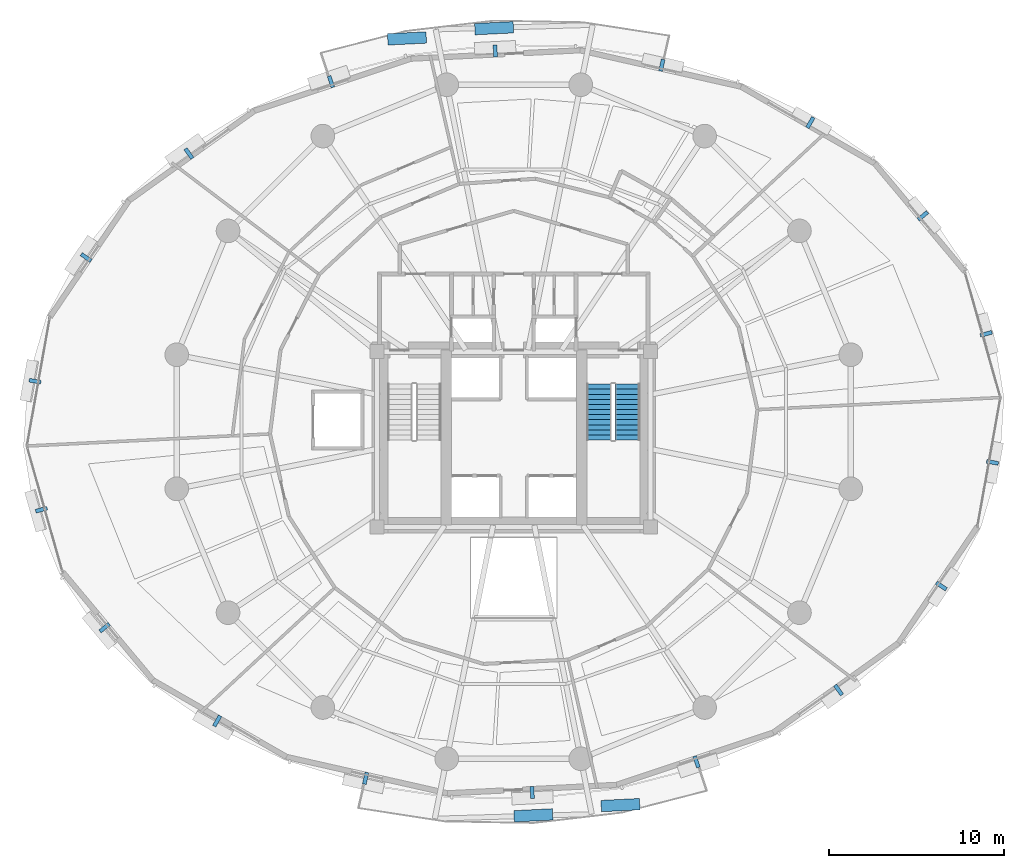
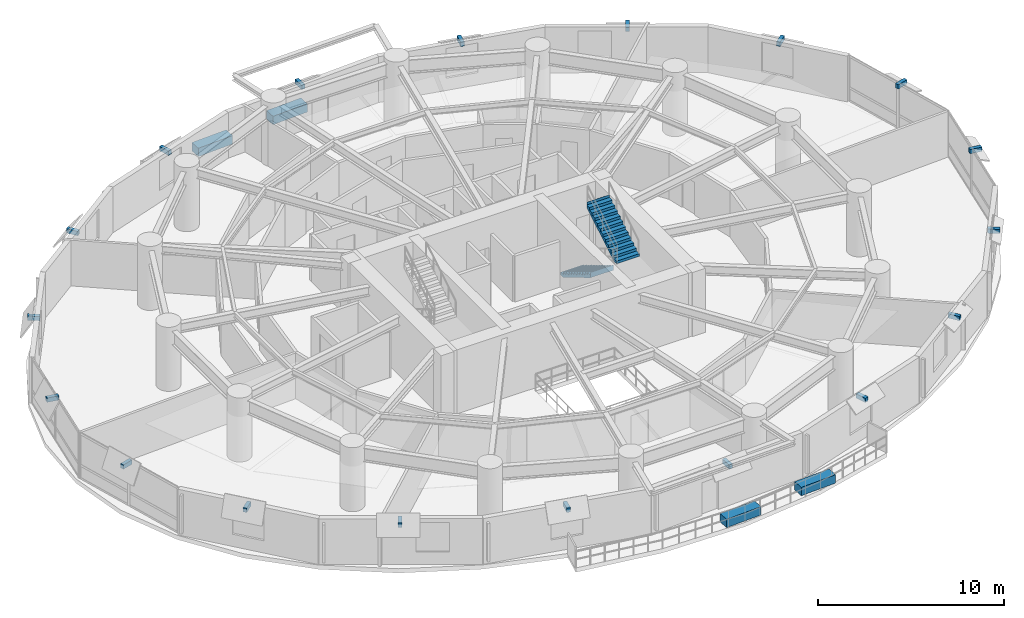
# One storey, part 13 of 16: 22 discrete accessories, 2 stair flights, 1 element without a shape of its own.
"""IFC4 building model written with IfcOpenShell, lengths in metres."""

import ifcopenshell
import ifcopenshell.guid

model = None  # the IFC model being written
_history = None  # IfcOwnerHistory: only IFC2X3 demands one
_inside = {}  # id of a spatial element -> (the spatial element, [elements in it])
_under = {}  # id of a project, library or spatial element -> (it, [spatial elements below it])
_declared = {}  # id of a project -> (the project, [libraries it declares])
_typed = {}  # id of a type object -> (the type object, [elements of that type])
_made_of = {}  # id of a material, layer set ... -> (it, [elements and type objects made of it])


def new_model(schema):
    """Start an empty IFC model of exactly this schema.

    Asked for "IFC4X3", IfcOpenShell would pick the latest addendum, in which some entities
    have other attributes; the version numbers below select the first issue.
    IFC2X3 requires an IfcOwnerHistory on every rooted entity: one is made here for all.
    """
    global model, _history
    if schema == "IFC4X3":
        model = ifcopenshell.file(schema_version=(4, 3, 0, 0))
    else:
        model = ifcopenshell.file(schema=schema)
    _inside.clear()
    _under.clear()
    _declared.clear()
    _typed.clear()
    _made_of.clear()
    _history = None
    if model.schema == "IFC2X3":
        org = make("IfcOrganization", Name="unknown")
        user = make(
            "IfcPersonAndOrganization",
            ThePerson=make("IfcPerson", FamilyName="unknown"),
            TheOrganization=org,
        )
        app = make(
            "IfcApplication",
            ApplicationDeveloper=org,
            Version="unknown",
            ApplicationFullName="unknown",
            ApplicationIdentifier="unknown",
        )
        _history = make(
            "IfcOwnerHistory",
            OwningUser=user,
            OwningApplication=app,
            ChangeAction="ADDED",
            CreationDate=0,
        )
    return model


def make(cls, **values):
    """One entity of the class cls with the attributes given. An attribute that is None is left unset."""
    return model.create_entity(
        cls, **{name: value for name, value in values.items() if value is not None}
    )


def rooted(cls, **values):
    """An entity with a GlobalId (a new one), such as an element, a storey or a relation."""
    return make(cls, GlobalId=ifcopenshell.guid.new(), OwnerHistory=_history, **values)


def si_unit(unit_type, name, prefix=None):
    """IfcSIUnit, for example si_unit("LENGTHUNIT", "METRE", prefix="MILLI")."""
    return make("IfcSIUnit", UnitType=unit_type, Prefix=prefix, Name=name)


def assignment(units):
    """IfcUnitAssignment: the units of a project."""
    return None if units is None else make("IfcUnitAssignment", Units=units)


def point(xyz):
    """IfcCartesianPoint."""
    return None if xyz is None else make("IfcCartesianPoint", Coordinates=xyz)


def direction(xyz):
    """IfcDirection."""
    return None if xyz is None else make("IfcDirection", DirectionRatios=xyz)


def frame(location, z_axis=None, x_axis=None):
    """IfcAxis2Placement3D, a coordinate frame: its origin and axes. An axis left out is left unset."""
    return make(
        "IfcAxis2Placement3D",
        Location=point(location),
        Axis=direction(z_axis),
        RefDirection=direction(x_axis),
    )


def frame_2d(location, x_axis=None):
    """IfcAxis2Placement2D, a coordinate frame in the plane: its origin and x axis."""
    return make(
        "IfcAxis2Placement2D", Location=point(location), RefDirection=direction(x_axis)
    )


def origin():
    """The frame at (0, 0, 0) with its axes left unset."""
    return frame((0.0, 0.0, 0.0))


def origin_2d():
    """The frame at (0, 0) in the plane with its x axis left unset."""
    return frame_2d((0.0, 0.0))


def place(relative_to, where):
    """IfcLocalPlacement: puts the frame where relative to a parent placement (None: the world)."""
    return make(
        "IfcLocalPlacement", PlacementRelTo=relative_to, RelativePlacement=where
    )


def context(
    kind, dimensions, precision=None, world=None, true_north=None, identifier=None
):
    """IfcGeometricRepresentationContext, for example the 3D "Model" context."""
    return make(
        "IfcGeometricRepresentationContext",
        ContextIdentifier=identifier,
        ContextType=kind,
        CoordinateSpaceDimension=dimensions,
        Precision=precision,
        WorldCoordinateSystem=world,
        TrueNorth=true_north,
    )


def subcontext(parent, identifier, kind, view, scale=None):
    """IfcGeometricRepresentationSubContext, for example "Body" below "Model"."""
    return make(
        "IfcGeometricRepresentationSubContext",
        ContextIdentifier=identifier,
        ContextType=kind,
        ParentContext=parent,
        TargetScale=scale,
        TargetView=view,
    )


def project(units=None, contexts=None):
    """IfcProject with its units and contexts."""
    return rooted(
        "IfcProject",
        Name="project",
        RepresentationContexts=contexts,
        UnitsInContext=assignment(units),
    )


def spatial(cls, under=None, at=None, **own):
    """A site, building, storey or space (cls), placed at a placement, below another one or the project."""
    s = rooted(cls, ObjectPlacement=at, **own)
    if under is not None:
        _under.setdefault(under.id(), (under, []))[1].append(s)
    return s


def polyline(points):
    """IfcPolyline through the points."""
    return make("IfcPolyline", Points=[point(p) for p in points])


def profile(cls, at=None, kind="AREA", **sizes):
    """A parametric profile (cls). Its sizes go by their IFC names, for example OverallWidth=200.0."""
    return make(cls, ProfileType=kind, Position=at, **sizes)


def rectangle(**sizes):
    """IfcRectangleProfileDef."""
    return profile("IfcRectangleProfileDef", **sizes)


def outline(outer, holes=None, kind="AREA"):
    """IfcArbitraryClosedProfileDef: a profile drawn as a closed curve; with holes, ...WithVoids."""
    if holes is None:
        return make("IfcArbitraryClosedProfileDef", ProfileType=kind, OuterCurve=outer)
    return make(
        "IfcArbitraryProfileDefWithVoids",
        ProfileType=kind,
        OuterCurve=outer,
        InnerCurves=holes,
    )


def extrude(swept, where, along, depth):
    """IfcExtrudedAreaSolid: the profile swept, set in the frame where, extruded along a direction by depth."""
    return make(
        "IfcExtrudedAreaSolid",
        SweptArea=swept,
        Position=where,
        ExtrudedDirection=direction(along),
        Depth=depth,
    )


def shape(context_of_items, identifier, shape_type, items):
    """IfcShapeRepresentation: the items that make up one representation, for example the "Body"."""
    return make(
        "IfcShapeRepresentation",
        ContextOfItems=context_of_items,
        RepresentationIdentifier=identifier,
        RepresentationType=shape_type,
        Items=items,
    )


def material(Name=None, Category=None):
    """IfcMaterial."""
    return make("IfcMaterial", Name=Name, Category=Category)


def made_of(thing, what):
    """Note that an element or type object is made of a material, layer set ...; save() writes the relation."""
    if what is not None:
        _made_of.setdefault(what.id(), (what, []))[1].append(thing)
    return thing


def type_object(cls, material=None, **own):
    """A type object (cls), such as IfcWallType, which elements share."""
    return made_of(rooted(cls, **own), material)


def element(
    cls,
    number,
    at=None,
    inside=None,
    cuts=None,
    type_object=None,
    material=None,
    context=None,
    identifier="Body",
    shape_type=None,
    held_by="IfcProductDefinitionShape",
    body=None,
    shapes=None,
    **own,
):
    """One element of the class cls, such as IfcWall. Its Tag is "e" and its number.

    at: its placement. inside: the storey or other place that contains it. cuts: it is an
    opening in that element (IfcRelVoidsElement). A single representation is given by context,
    identifier, shape_type and body (its items); several are given by shapes. held_by: the class
    of the entity that holds the representations. save() writes the other relations.
    """
    e = rooted(cls, Tag="e%d" % number, ObjectPlacement=at, **own)
    if body is not None:
        shapes = [shape(context, identifier, shape_type, body)]
    if shapes is not None:
        e.Representation = make(held_by, Representations=shapes)
    if inside is not None:
        _inside.setdefault(inside.id(), (inside, []))[1].append(e)
    if cuts is not None:
        rooted(
            "IfcRelVoidsElement", RelatingBuildingElement=cuts, RelatedOpeningElement=e
        )
    if type_object is not None:
        _typed.setdefault(type_object.id(), (type_object, []))[1].append(e)
    return made_of(e, material)


def aggregate(whole, parts):
    """IfcRelAggregates: a whole, such as a stair, and the parts it consists of."""
    return rooted("IfcRelAggregates", RelatingObject=whole, RelatedObjects=parts)


def save(model, path):
    """Write the relations noted so far, then the file.

    IfcRelAggregates (storeys below a building ...), IfcRelContainedInSpatialStructure (elements
    in a storey), IfcRelDefinesByType, IfcRelAssociatesMaterial and IfcRelDeclares: one each for
    every whole, place, type object, material and project.
    """
    for whole, parts in _under.values():
        aggregate(whole, parts)
    for where, things in _inside.values():
        rooted(
            "IfcRelContainedInSpatialStructure",
            RelatedElements=things,
            RelatingStructure=where,
        )
    for kind, things in _typed.values():
        rooted("IfcRelDefinesByType", RelatedObjects=things, RelatingType=kind)
    for what, things in _made_of.values():
        rooted("IfcRelAssociatesMaterial", RelatedObjects=things, RelatingMaterial=what)
    for by, libraries in _declared.values():
        rooted("IfcRelDeclares", RelatingContext=by, RelatedDefinitions=libraries)
    model.write(path)


model = new_model("IFC4")

# Units and contexts
model_context = context("Model", 3, precision=1e-05, world=origin(), true_north=direction((0.0, 1.0)))
body_context = subcontext(model_context, "Body", "Model", "MODEL_VIEW")
ifc_project = project(units=[si_unit("LENGTHUNIT", "METRE"), si_unit("AREAUNIT", "SQUARE_METRE"), si_unit("VOLUMEUNIT", "CUBIC_METRE"), si_unit("PLANEANGLEUNIT", "RADIAN"), si_unit("MASSUNIT", "GRAM", prefix="KILO"), si_unit("THERMODYNAMICTEMPERATUREUNIT", "KELVIN"), si_unit("POWERUNIT", "WATT")], contexts=[model_context])

# Site, building, storey
site_placement = place(None, origin())
site = spatial("IfcSite", under=ifc_project, at=site_placement, CompositionType="ELEMENT")
building_placement = place(site_placement, origin())
building = spatial("IfcBuilding", under=site, at=building_placement, Name="Ocrelia Relay Tower", CompositionType="ELEMENT")
storey_placement = place(building_placement, frame((0.0, 0.0, 42.60009765625)))
storey = spatial("IfcBuildingStorey", under=building, at=storey_placement, Name="L09", CompositionType="ELEMENT", Elevation=42.60009765625)

# Stair, stair flights
ifc_material_1 = material(Name="Concrete C50/60", Category="concrete")
stair_type = type_object("IfcStairType", Name="ST-DL-1420-R175", PredefinedType="HALF_TURN_STAIR", material=ifc_material_1)
stair_placement = place(storey_placement, origin())
stair = element("IfcStair", 1, at=stair_placement, inside=storey, type_object=stair_type, Name="L09 East Core Exit Stair ST2", PredefinedType="HALF_TURN_STAIR")
stair_flight_type = type_object("IfcStairFlightType", Name="STF-DL-1420-R175", PredefinedType="STRAIGHT", material=ifc_material_1)
stair_flight_1_placement = place(storey_placement, frame((38.8701171875, 28.14990234375, 0.0), z_axis=(0.0, 0.0, 1.0), x_axis=(0.0, -1.0, 0.0)))
stair_flight_1 = element("IfcStairFlight", 2, at=stair_flight_1_placement, type_object=stair_flight_type, Name="ST2 flight 1", NumberOfRisers=12, NumberOfTreads=11, PredefinedType="STRAIGHT", RiserHeight=0.175, TreadLength=0.29, context=body_context, shape_type="SweptSolid", body=[
    extrude(outline(polyline([(-0.008056640625, 0.0), (-0.008056640625, 0.175048828125), (0.0, 0.175048828125), (0.2900390625, 0.175048828125), (0.2900390625, 0.35009765625), (0.580078125, 0.35009765625), (0.580078125, 0.52490234375), (0.8701171875, 0.52490234375), (0.8701171875, 0.699951171875), (1.159912109375, 0.699951171875), (1.159912109375, 0.875), (1.449951171875, 0.875), (1.449951171875, 1.050048828125), (1.739990234375, 1.050048828125), (1.739990234375, 1.22509765625), (2.030029296875, 1.22509765625), (2.030029296875, 1.39990234375), (2.320068359375, 1.39990234375), (2.320068359375, 1.574951171875), (2.610107421875, 1.574951171875), (2.610107421875, 1.75), (2.89990234375, 1.75), (2.89990234375, 1.925048828125), (3.18994140625, 1.925048828125), (3.18994140625, 2.10009765625), (3.197998046875, 2.10009765625), (3.197998046875, 1.75), (0.2900390625, 0.0), (-0.008056640625, 0.0)])), frame((0.0, 0.7099609375, 0.0), z_axis=(0.0, -1.0, 0.0), x_axis=(1.0, 0.0, 0.0)), (0.0, 0.0, 1.0), 1.419921875),
])
stair_flight_2_placement = place(storey_placement, frame((40.489990234375, 24.9599609375, 2.099853515625), z_axis=(0.0, 0.0, 1.0), x_axis=(0.0, 1.0, 0.0)))
stair_flight_2 = element("IfcStairFlight", 3, at=stair_flight_2_placement, type_object=stair_flight_type, Name="ST2 flight 2", NumberOfRisers=12, NumberOfTreads=11, PredefinedType="STRAIGHT", RiserHeight=0.175, TreadLength=0.29, context=body_context, shape_type="SweptSolid", body=[
    extrude(outline(polyline([(-0.008056640625, 0.0), (-0.008056640625, 0.175048828125), (0.0, 0.175048828125), (0.2900390625, 0.175048828125), (0.2900390625, 0.35009765625), (0.580078125, 0.35009765625), (0.580078125, 0.52490234375), (0.8701171875, 0.52490234375), (0.8701171875, 0.699951171875), (1.159912109375, 0.699951171875), (1.159912109375, 0.875), (1.449951171875, 0.875), (1.449951171875, 1.050048828125), (1.739990234375, 1.050048828125), (1.739990234375, 1.22509765625), (2.030029296875, 1.22509765625), (2.030029296875, 1.39990234375), (2.320068359375, 1.39990234375), (2.320068359375, 1.574951171875), (2.610107421875, 1.574951171875), (2.610107421875, 1.75), (2.89990234375, 1.75), (2.89990234375, 1.925048828125), (3.18994140625, 1.925048828125), (3.18994140625, 2.10009765625), (3.197998046875, 2.10009765625), (3.197998046875, 1.75), (0.2900390625, 0.0), (-0.008056640625, 0.0)])), frame((0.0, 0.7099609375, 0.0), z_axis=(0.0, -1.0, 0.0), x_axis=(1.0, 0.0, 0.0)), (0.0, 0.0, 1.0), 1.419921875),
])
aggregate(stair, [stair_flight_1, stair_flight_2])

# Discrete accessories
ifc_material_2 = material(Name="Precast concrete C40/50 planter with highland greenery", Category="concrete")
discrete_accessory_type_1 = type_object("IfcDiscreteAccessoryType", Name="ACC-BALC-PLANTER", PredefinedType="USERDEFINED", material=ifc_material_2)
for number, where, z_axis, x_axis, name in (
    (4, (32.88232421875, 48.44970703125, 0.0), (0.0, 0.0, 1.0), (0.998763392333, 0.049716055106, 0.0), "L09 Balcony Terracotta Planter with Greenery B1"),
    (5, (27.91162109375, 47.8662109375, 0.0), (0.0, 0.0, 1.0), (0.998763392333, 0.049716055106, 0.0), "L09 Balcony Terracotta Planter B1-2"),
    (6, (35.11767578125, 3.55029296875, 0.0), (0.0, 0.0, 1.0), (-0.998763392333, -0.049716055106, 0.0), "L09 Balcony Terracotta Planter with Greenery B2"),
    (7, (40.08837890625, 4.1337890625, 0.0), (0.0, 0.0, 1.0), (-0.998763392333, -0.049716055106, 0.0), "L09 Balcony Terracotta Planter B2-2"),
):
    element("IfcDiscreteAccessory", number, at=place(storey_placement, frame(where, z_axis=z_axis, x_axis=x_axis)), inside=storey, type_object=discrete_accessory_type_1, Name=name, ObjectType="PLANTER", PredefinedType="USERDEFINED", context=body_context, shape_type="SweptSolid", body=[
        extrude(rectangle(XDim=2.199951171875, YDim=0.64990234375, at=origin_2d()), origin(), (0.0, 0.0, 1.0), 0.550048828125),
    ])
ifc_material_3 = material(Name="Steel S355", Category="steel")
discrete_accessory_type_2 = type_object("IfcDiscreteAccessoryType", Name="ACC-VISOR-BRACKET", PredefinedType="BRACKET", material=ifc_material_3)
for number, where, z_axis, x_axis, name in (
    (8, (60.94384765625, 31.01513671875, 2.69970703125), (0.0, 0.0, 1.0), (-0.27245355901, 0.962168934326, 0.0), "L09 Visor Mounting Bracket 01"),
    (9, (57.337646484375, 37.743896484375, 2.69970703125), (0.0, 0.0, 1.0), (-0.640772789184, 0.767730572949, 0.0), "L09 Visor Mounting Bracket 02"),
    (10, (50.918212890625, 43.06591796875, 2.69970703125), (0.0, 0.0, 1.0), (-0.867004455903, 0.498300384752, 0.0), "L09 Visor Mounting Bracket 03"),
    (11, (42.44873046875, 46.33740234375, 2.69970703125), (0.0, 0.0, 1.0), (-0.975411485946, 0.220391544947, 0.0), "L09 Visor Mounting Bracket 04"),
    (12, (32.947021484375, 47.150146484375, 2.69970703125), (0.0, 0.0, 1.0), (-0.998762880658, -0.049726333258, 0.0), "L09 Visor Mounting Bracket 05"),
    (13, (23.572998046875, 45.397705078125, 2.69970703125), (0.0, 0.0, 1.0), (-0.948700284016, -0.316176803558, 0.0), "L09 Visor Mounting Bracket 06"),
    (14, (15.470703125, 41.30126953125, 2.69970703125), (0.0, 0.0, 1.0), (-0.813229055899, -0.581943728072, 0.0), "L09 Visor Mounting Bracket 07"),
    (15, (9.611328125, 35.3681640625, 2.69970703125), (0.0, 0.0, 1.0), (-0.561356604913, -0.827574022139, 0.0), "L09 Visor Mounting Bracket 08"),
    (16, (6.691162109375, 28.314208984375, 2.69970703125), (0.0, 0.0, 1.0), (-0.175534136375, -0.984473344975, 0.0), "L09 Visor Mounting Bracket 09"),
    (17, (7.05615234375, 20.98486328125, 2.69970703125), (0.0, 0.0, 1.0), (0.27245355901, -0.962168934326, 0.0), "L09 Visor Mounting Bracket 10"),
    (18, (10.662353515625, 14.256103515625, 2.69970703125), (0.0, 0.0, 1.0), (0.640772789184, -0.767730572949, 0.0), "L09 Visor Mounting Bracket 11"),
    (19, (17.081787109375, 8.93408203125, 2.69970703125), (0.0, 0.0, 1.0), (0.867004455903, -0.498300384752, 0.0), "L09 Visor Mounting Bracket 12"),
    (20, (25.55126953125, 5.66259765625, 2.69970703125), (0.0, 0.0, 1.0), (0.975411485946, -0.220391544947, 0.0), "L09 Visor Mounting Bracket 13"),
    (21, (35.052978515625, 4.849853515625, 2.69970703125), (0.0, 0.0, 1.0), (0.998762880658, 0.049726333258, 0.0), "L09 Visor Mounting Bracket 14"),
    (22, (44.427001953125, 6.602294921875, 2.69970703125), (0.0, 0.0, 1.0), (0.948700284016, 0.316176803558, 0.0), "L09 Visor Mounting Bracket 15"),
    (23, (52.529296875, 10.69873046875, 2.69970703125), (0.0, 0.0, 1.0), (0.813229055899, 0.581943728072, 0.0), "L09 Visor Mounting Bracket 16"),
    (24, (58.388671875, 16.6318359375, 2.69970703125), (0.0, 0.0, 1.0), (0.561356604913, 0.827574022139, 0.0), "L09 Visor Mounting Bracket 17"),
    (25, (61.308837890625, 23.685791015625, 2.69970703125), (0.0, 0.0, 1.0), (0.175534136375, 0.984473344975, 0.0), "L09 Visor Mounting Bracket 18"),
):
    element("IfcDiscreteAccessory", number, at=place(storey_placement, frame(where, z_axis=z_axis, x_axis=x_axis)), inside=storey, type_object=discrete_accessory_type_2, Name=name, PredefinedType="BRACKET", context=body_context, shape_type="SweptSolid", body=[
        extrude(rectangle(XDim=0.219970703125, YDim=0.679931640625, at=origin_2d()), origin(), (0.0, 0.0, 1.0), 0.280029296875),
    ])

save(model, "model.ifc")
